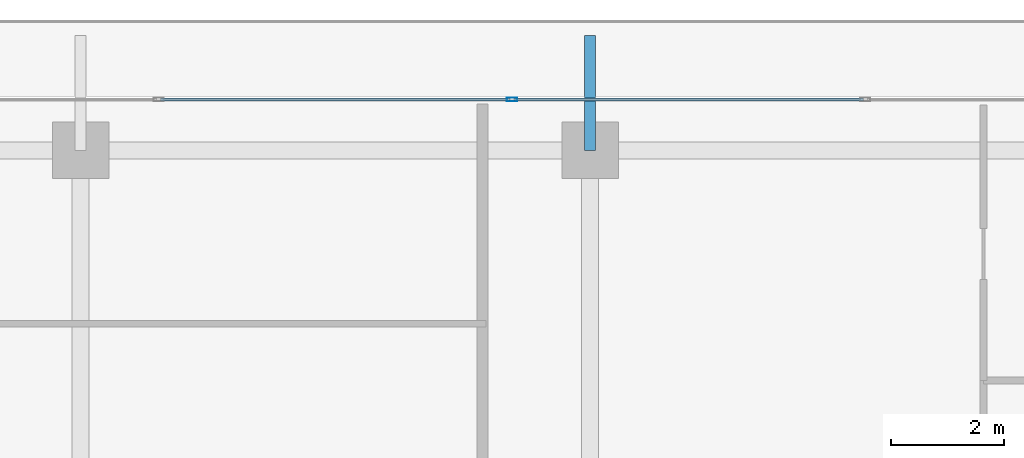
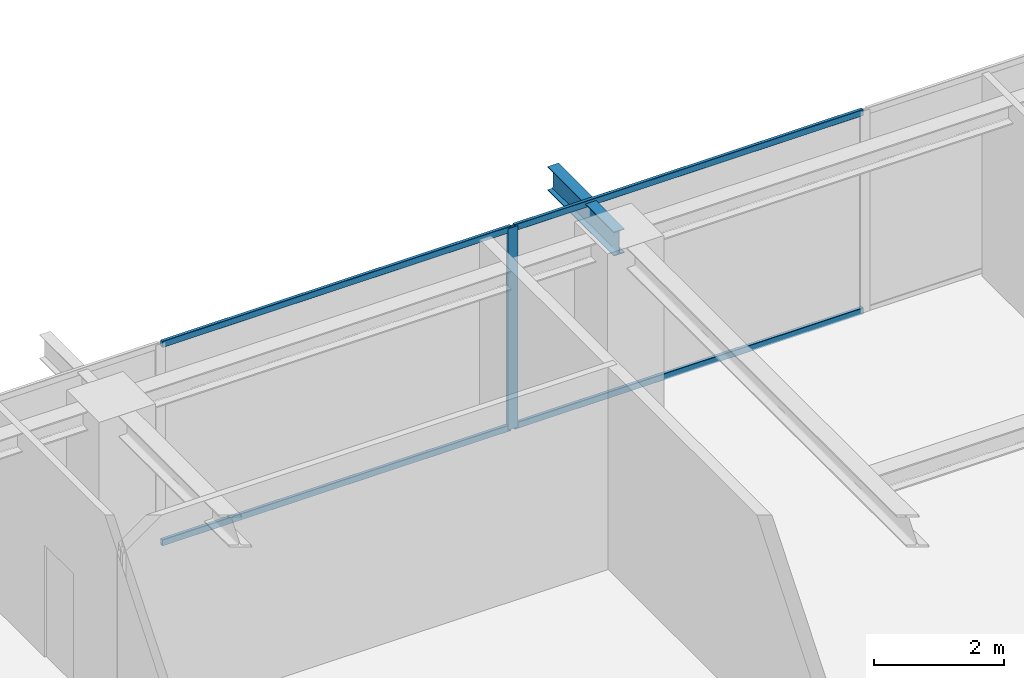
# One storey, part 24 of 42: 5 members, 1 beam, 1 element without a shape of its own.
"""IFC4 building model written with IfcOpenShell, lengths in metres."""

from ifc_helpers import new_model, si_unit, direction, frame, origin, origin_2d, place, context, subcontext, project, spatial, hollow_rectangle, i_section, extrude, source, transform, mapped, material, layer, layer_set, material_profile, profile_set, type_object, element, aggregate, save


model = new_model("IFC4")

# Units and contexts
model_context = context("Model", 3, precision=1e-05, world=origin(), true_north=direction((0.0, 1.0)))
body_context = subcontext(model_context, "Body", "Model", "MODEL_VIEW")
ifc_project = project(units=[si_unit("LENGTHUNIT", "METRE"), si_unit("AREAUNIT", "SQUARE_METRE"), si_unit("VOLUMEUNIT", "CUBIC_METRE"), si_unit("PLANEANGLEUNIT", "RADIAN"), si_unit("MASSUNIT", "GRAM", prefix="KILO")], contexts=[model_context])

# Site, building, storey
site_placement = place(None, origin())
site = spatial("IfcSite", under=ifc_project, at=site_placement, CompositionType="ELEMENT")
building_placement = place(site_placement, origin())
building = spatial("IfcBuilding", under=site, at=building_placement, Name="Serunith Strait Residences", CompositionType="ELEMENT")
storey_placement = place(building_placement, frame((0.0, 0.0, 293.449951171875)))
storey = spatial("IfcBuildingStorey", under=building, at=storey_placement, Name="L73", CompositionType="ELEMENT", Elevation=293.449951171875)

# Beam
ifc_material_1 = material(Name="Steel S355J2", Category="steel")
ifc_material_profile_1 = material_profile(ifc_material_1, i_section(OverallWidth=0.18994140625, OverallDepth=0.449951171875, WebThickness=0.009521484375, FlangeThickness=0.0146484375, FilletRadius=0.02099609375, at=origin_2d()), Name="IPE 450")
ifc_profile_set_1 = profile_set([ifc_material_profile_1], Name="Steel S355J2")
beam_type = type_object("IfcBeamType", Name="BM-IPE450", PredefinedType="JOIST", material=ifc_profile_set_1)
shared_shape_1 = source(origin(), body_context, "Body", "SweptSolid", [
    extrude(i_section(OverallWidth=0.18994140625, OverallDepth=0.449951171875, WebThickness=0.009521484375, FlangeThickness=0.0146484375, FilletRadius=0.02099609375, at=origin_2d()), origin(), (0.0, 0.0, 1.0), 2.02978515625),
])
beam_placement = place(storey_placement, frame((36.89990234375, 47.10009765625, 3.531982421875), z_axis=(0.0, 1.0, 0.0), x_axis=(-1.0, 0.0, 0.0)))
element("IfcBeam", 1, at=beam_placement, inside=storey, type_object=beam_type, Name="L74 Cantilevered Balcony Rib TC-N3", PredefinedType="JOIST", context=body_context, shape_type="MappedRepresentation", body=[
    mapped(shared_shape_1, transform((0.0, 0.0, 0.0), scale=1.0)),
])

# Curtain wall, members
ifc_material_2 = material(Name="Brushed Stainless-Silver Aluminium", Category="aluminium")
ifc_layer = layer(ifc_material_2, 0.199951171875, Name="Brushed Stainless-Silver Aluminium")
ifc_layer_set = layer_set([ifc_layer], Name="Brushed Stainless-Silver Aluminium")
curtain_wall_type = type_object("IfcCurtainWallType", Name="CW-SYS5", PredefinedType="NOTDEFINED", material=ifc_layer_set)
curtain_wall_placement = place(storey_placement, origin())
curtain_wall = element("IfcCurtainWall", 2, at=curtain_wall_placement, inside=storey, type_object=curtain_wall_type, Name="L73 N Unitised Fritted Curtain Wall", PredefinedType="NOTDEFINED")
ifc_material_profile_2 = material_profile(ifc_material_2, hollow_rectangle(XDim=0.06494140625, YDim=0.179931640625, WallThickness=0.00341796875, InnerFilletRadius=0.00537109375, OuterFilletRadius=0.0087890625, at=origin_2d()), Name="ALU 180x65x3.5")
ifc_profile_set_2 = profile_set([ifc_material_profile_2], Name="Brushed Stainless-Silver Aluminium")
member_type_1 = type_object("IfcMemberType", Name="CW-SYS5-MULL", PredefinedType="MULLION", material=ifc_profile_set_2)
shared_shape_2 = source(origin(), body_context, "Body", "SweptSolid", [
    extrude(hollow_rectangle(XDim=0.06494140625, YDim=0.179931640625, WallThickness=0.00341796875, InnerFilletRadius=0.00537109375, OuterFilletRadius=0.0087890625, at=origin_2d()), origin(), (0.0, 0.0, 1.0), 3.775146484375),
])
member_1_placement = place(storey_placement, frame((35.52001953125, 48.0, 0.0), z_axis=(0.0, 0.0, 1.0), x_axis=(0.0, -1.0, 0.0)))
member_1 = element("IfcMember", 3, at=member_1_placement, type_object=member_type_1, Name="CW-5 mullion 3", PredefinedType="MULLION", context=body_context, shape_type="MappedRepresentation", body=[
    mapped(shared_shape_2, transform((0.0, 0.0, 0.0), scale=1.0)),
])
ifc_material_profile_3 = material_profile(ifc_material_2, hollow_rectangle(XDim=0.06005859375, YDim=0.1201171875, WallThickness=0.00341796875, InnerFilletRadius=0.00537109375, OuterFilletRadius=0.0087890625, at=origin_2d()), Name="ALU 120x60x3.5")
ifc_profile_set_3 = profile_set([ifc_material_profile_3], Name="Brushed Stainless-Silver Aluminium")
member_type_2 = type_object("IfcMemberType", Name="CW-SYS5-TRAN", PredefinedType="USERDEFINED", material=ifc_profile_set_3)
shared_shape_3 = source(origin(), body_context, "Body", "SweptSolid", [
    extrude(hollow_rectangle(XDim=0.06005859375, YDim=0.1201171875, WallThickness=0.00341796875, InnerFilletRadius=0.00537109375, OuterFilletRadius=0.0087890625, at=origin_2d()), origin(), (0.0, 0.0, 1.0), 6.175048828125),
])
member_2_placement = place(storey_placement, frame((41.7275390625, 48.0, 0.030029296875), z_axis=(-1.0, 0.0, 0.0), x_axis=(0.0, -1.0, 0.0)))
member_2 = element("IfcMember", 4, at=member_2_placement, type_object=member_type_2, Name="CW-5 transom 2.1", ObjectType="TRANSOM", PredefinedType="USERDEFINED", context=body_context, shape_type="MappedRepresentation", body=[
    mapped(shared_shape_3, transform((0.0, 0.0, 0.0), scale=1.0)),
])
member_3_placement = place(storey_placement, frame((41.7275390625, 48.0, 3.7451171875), z_axis=(-1.0, 0.0, 0.0), x_axis=(0.0, -1.0, 0.0)))
member_3 = element("IfcMember", 5, at=member_3_placement, type_object=member_type_2, Name="CW-5 transom 2.2", ObjectType="TRANSOM", PredefinedType="USERDEFINED", context=body_context, shape_type="MappedRepresentation", body=[
    mapped(shared_shape_3, transform((0.0, 0.0, 0.0), scale=1.0)),
])
member_4_placement = place(storey_placement, frame((35.487548828125, 48.0, 0.030029296875), z_axis=(-1.0, 0.0, 0.0), x_axis=(0.0, -1.0, 0.0)))
member_4 = element("IfcMember", 6, at=member_4_placement, type_object=member_type_2, Name="CW-5 transom 3.1", ObjectType="TRANSOM", PredefinedType="USERDEFINED", context=body_context, shape_type="MappedRepresentation", body=[
    mapped(shared_shape_3, transform((0.0, 0.0, 0.0), scale=1.0)),
])
member_5_placement = place(storey_placement, frame((35.487548828125, 48.0, 3.7451171875), z_axis=(-1.0, 0.0, 0.0), x_axis=(0.0, -1.0, 0.0)))
member_5 = element("IfcMember", 7, at=member_5_placement, type_object=member_type_2, Name="CW-5 transom 3.2", ObjectType="TRANSOM", PredefinedType="USERDEFINED", context=body_context, shape_type="MappedRepresentation", body=[
    mapped(shared_shape_3, transform((0.0, 0.0, 0.0), scale=1.0)),
])
aggregate(curtain_wall, [member_1, member_2, member_3, member_4, member_5])

save(model, "model.ifc")
